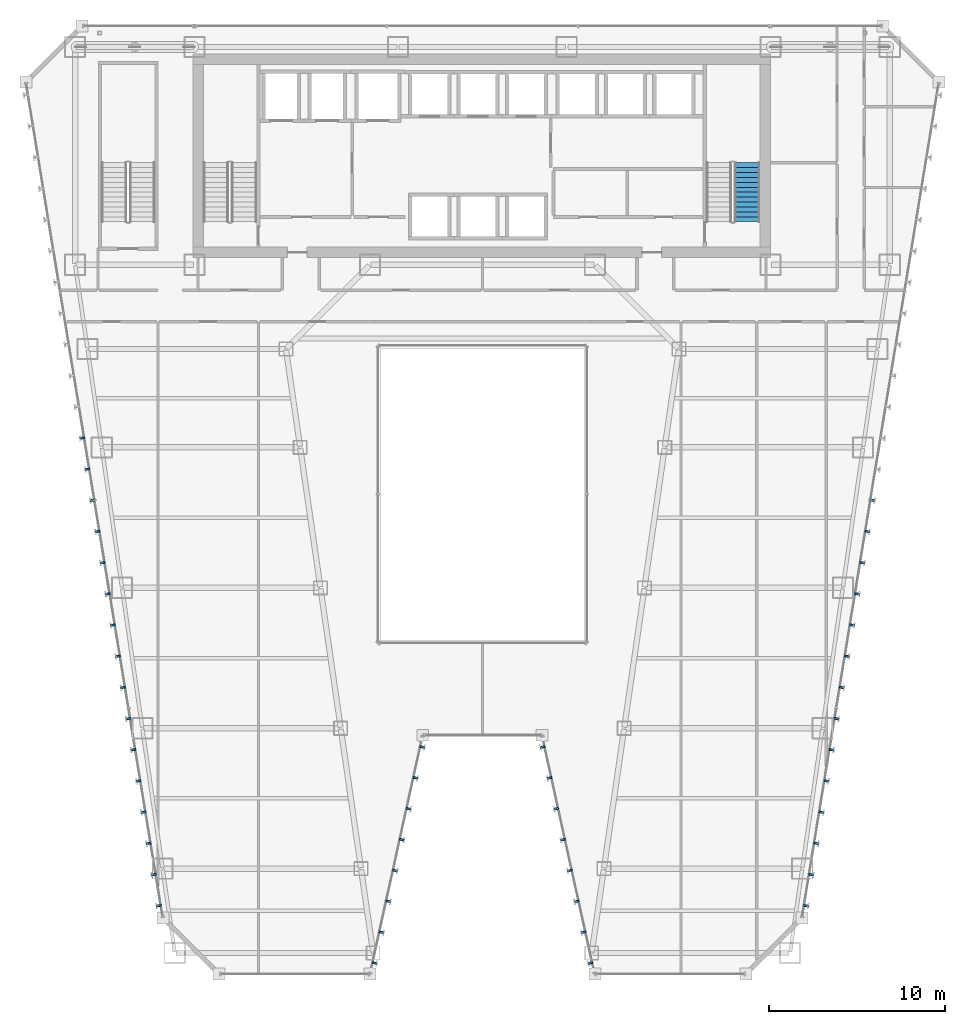
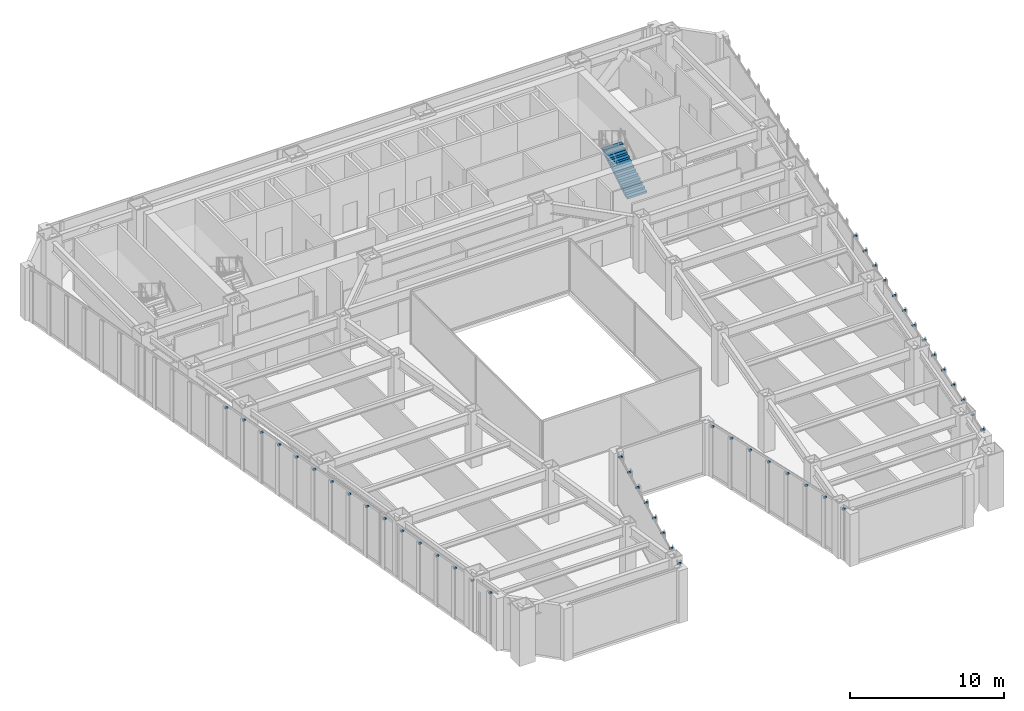
# One storey, part 39 of 47: 46 discrete accessories, 1 stair flight, 1 element without a shape of its own.
"""IFC4 building model written with IfcOpenShell, lengths in metres."""

from ifc_helpers import new_model, si_unit, direction, frame, origin, origin_2d, place, context, subcontext, project, spatial, polyline, rectangle, outline, extrude, material, layer, layer_set, type_object, element, aggregate, save


model = new_model("IFC4")

# Units and contexts
model_context = context("Model", 3, precision=1e-05, world=origin(), true_north=direction((0.0, 1.0)))
body_context = subcontext(model_context, "Body", "Model", "MODEL_VIEW")
ifc_project = project(units=[si_unit("LENGTHUNIT", "METRE"), si_unit("AREAUNIT", "SQUARE_METRE"), si_unit("VOLUMEUNIT", "CUBIC_METRE"), si_unit("PLANEANGLEUNIT", "RADIAN"), si_unit("MASSUNIT", "GRAM", prefix="KILO")], contexts=[model_context])

# Site, building, storey
site_placement = place(None, origin())
site = spatial("IfcSite", under=ifc_project, at=site_placement, CompositionType="ELEMENT")
building_placement = place(site_placement, origin())
building = spatial("IfcBuilding", under=site, at=building_placement, Name="Saevonmaru Cultural Tower", CompositionType="ELEMENT")
storey_placement = place(building_placement, frame((0.0, 0.0, 92.800048828125)))
storey = spatial("IfcBuildingStorey", under=building, at=storey_placement, Name="L19", CompositionType="ELEMENT", Elevation=92.800048828125)

# Stair, stair flight
ifc_material_1 = material(Name="Concrete C40/50", Category="concrete")
stair_type = type_object("IfcStairType", Name="STR-DOGLEG-RC", PredefinedType="HALF_TURN_STAIR", material=ifc_material_1)
stair_placement = place(storey_placement, origin())
stair = element("IfcStair", 1, at=stair_placement, inside=storey, type_object=stair_type, Name="L19 Protected exit stair ST-2", PredefinedType="HALF_TURN_STAIR")
ifc_material_2 = material(Name="Precast concrete C40/50", Category="concrete")
stair_flight_type = type_object("IfcStairFlightType", Name="STF-PRECAST-180", PredefinedType="STRAIGHT", material=ifc_material_2)
stair_flight_placement = place(storey_placement, frame((45.074951171875, 44.85009765625, 0.0), z_axis=(0.0, 0.0, 1.0), x_axis=(0.0, 1.0, 0.0)))
stair_flight = element("IfcStairFlight", 2, at=stair_flight_placement, type_object=stair_flight_type, Name="ST-2-L19 flight 1", NumberOfRisers=13, NumberOfTreads=12, PredefinedType="STRAIGHT", RiserHeight=0.169230769, TreadLength=0.28, context=body_context, shape_type="SweptSolid", body=[
    extrude(outline(polyline([(0.0, 0.0), (0.0, 0.169189453125), (0.280029296875, 0.169189453125), (0.280029296875, 0.33837890625), (0.56005859375, 0.33837890625), (0.56005859375, 0.5078125), (0.840087890625, 0.5078125), (0.840087890625, 0.677001953125), (1.1201171875, 0.677001953125), (1.1201171875, 0.84619140625), (1.39990234375, 0.84619140625), (1.39990234375, 1.015380859375), (1.679931640625, 1.015380859375), (1.679931640625, 1.1845703125), (1.9599609375, 1.1845703125), (1.9599609375, 1.353759765625), (2.239990234375, 1.353759765625), (2.239990234375, 1.523193359375), (2.52001953125, 1.523193359375), (2.52001953125, 1.6923828125), (2.800048828125, 1.6923828125), (2.800048828125, 1.861572265625), (3.080078125, 1.861572265625), (3.080078125, 2.03076171875), (3.360107421875, 2.03076171875), (3.360107421875, 2.199951171875), (3.360107421875, 1.855712890625), (0.289794921875, 0.0), (0.0, 0.0)])), frame((0.0, 0.72509765625, 0.0), z_axis=(0.0, -1.0, 0.0), x_axis=(1.0, 0.0, 0.0)), (0.0, 0.0, 1.0), 1.449951171875),
])
aggregate(stair, [stair_flight])

# Discrete accessories
ifc_material_3 = material(Name="Stainless Steel 316", Category="steel")
ifc_layer = layer(ifc_material_3, 0.1201171875, Name="Stainless Steel 316")
ifc_layer_set = layer_set([ifc_layer], Name="Stainless Steel 316")
discrete_accessory_type = type_object("IfcDiscreteAccessoryType", Name="ACC-FIN-BRKT", PredefinedType="BRACKET", material=ifc_layer_set)
for number, where, z_axis, x_axis, name in (
    (3, (23.850341796875, 2.624267578125, 3.929931640625), (0.0, 0.0, 1.0), (0.976522126798, -0.215417120661, 0.0), "L19 Bronze Fin Bracket E3-01"),
    (4, (24.238037109375, 4.3818359375, 3.929931640625), (0.0, 0.0, 1.0), (0.976522126798, -0.215417120661, 0.0), "L19 Bronze Fin Bracket E3-02"),
    (5, (24.625732421875, 6.1396484375, 3.929931640625), (0.0, 0.0, 1.0), (0.976522126798, -0.215417120661, 0.0), "L19 Bronze Fin Bracket E3-03"),
    (6, (25.013427734375, 7.8974609375, 3.929931640625), (0.0, 0.0, 1.0), (0.976522126798, -0.215417120661, 0.0), "L19 Bronze Fin Bracket E3-04"),
    (7, (25.4013671875, 9.6552734375, 3.929931640625), (0.0, 0.0, 1.0), (0.976522126798, -0.215417120661, 0.0), "L19 Bronze Fin Bracket E3-05"),
    (8, (25.7890625, 11.412841796875, 3.929931640625), (0.0, 0.0, 1.0), (0.976522126798, -0.215417120661, 0.0), "L19 Bronze Fin Bracket E3-06"),
    (9, (26.1767578125, 13.170654296875, 3.929931640625), (0.0, 0.0, 1.0), (0.976522126798, -0.215417120661, 0.0), "L19 Bronze Fin Bracket E3-07"),
    (10, (26.564453125, 14.928466796875, 3.929931640625), (0.0, 0.0, 1.0), (0.976522126798, -0.215417120661, 0.0), "L19 Bronze Fin Bracket E3-08"),
    (11, (33.435546875, 14.928466796875, 3.929931640625), (0.0, 0.0, 1.0), (-0.976522126798, -0.215417120661, 0.0), "L19 Bronze Fin Bracket E5-01"),
    (12, (33.8232421875, 13.170654296875, 3.929931640625), (0.0, 0.0, 1.0), (-0.976522126798, -0.215417120661, 0.0), "L19 Bronze Fin Bracket E5-02"),
    (13, (34.2109375, 11.412841796875, 3.929931640625), (0.0, 0.0, 1.0), (-0.976522126798, -0.215417120661, 0.0), "L19 Bronze Fin Bracket E5-03"),
    (14, (34.5986328125, 9.6552734375, 3.929931640625), (0.0, 0.0, 1.0), (-0.976522126798, -0.215417120661, 0.0), "L19 Bronze Fin Bracket E5-04"),
    (15, (34.986572265625, 7.8974609375, 3.929931640625), (0.0, 0.0, 1.0), (-0.976522126798, -0.215417120661, 0.0), "L19 Bronze Fin Bracket E5-05"),
    (16, (35.374267578125, 6.1396484375, 3.929931640625), (0.0, 0.0, 1.0), (-0.976522126798, -0.215417120661, 0.0), "L19 Bronze Fin Bracket E5-06"),
    (17, (35.761962890625, 4.3818359375, 3.929931640625), (0.0, 0.0, 1.0), (-0.976522126798, -0.215417120661, 0.0), "L19 Bronze Fin Bracket E5-07"),
    (18, (36.149658203125, 2.624267578125, 3.929931640625), (0.0, 0.0, 1.0), (-0.976522126798, -0.215417120661, 0.0), "L19 Bronze Fin Bracket E5-08"),
    (19, (48.424560546875, 5.89013671875, 3.929931640625), (0.0, 0.0, 1.0), (0.986827496189, -0.161776057456, 0.0), "L19 Bronze Fin Bracket E8-01"),
    (20, (48.715576171875, 7.66650390625, 3.929931640625), (0.0, 0.0, 1.0), (0.986827496189, -0.161776057456, 0.0), "L19 Bronze Fin Bracket E8-02"),
    (21, (49.006591796875, 9.44287109375, 3.929931640625), (0.0, 0.0, 1.0), (0.986827496189, -0.161776057456, 0.0), "L19 Bronze Fin Bracket E8-03"),
    (22, (49.2978515625, 11.218994140625, 3.929931640625), (0.0, 0.0, 1.0), (0.986827496189, -0.161776057456, 0.0), "L19 Bronze Fin Bracket E8-04"),
    (23, (49.5888671875, 12.995361328125, 3.929931640625), (0.0, 0.0, 1.0), (0.986827496189, -0.161776057456, 0.0), "L19 Bronze Fin Bracket E8-05"),
    (24, (49.8798828125, 14.771728515625, 3.929931640625), (0.0, 0.0, 1.0), (0.986827496189, -0.161776057456, 0.0), "L19 Bronze Fin Bracket E8-06"),
    (25, (50.1708984375, 16.548095703125, 3.929931640625), (0.0, 0.0, 1.0), (0.986827496189, -0.161776057456, 0.0), "L19 Bronze Fin Bracket E8-07"),
    (26, (50.462158203125, 18.324462890625, 3.929931640625), (0.0, 0.0, 1.0), (0.986827496189, -0.161776057456, 0.0), "L19 Bronze Fin Bracket E8-08"),
    (27, (50.753173828125, 20.1005859375, 3.929931640625), (0.0, 0.0, 1.0), (0.986827496189, -0.161776057456, 0.0), "L19 Bronze Fin Bracket E8-09"),
    (28, (51.044189453125, 21.876953125, 3.929931640625), (0.0, 0.0, 1.0), (0.986827496189, -0.161776057456, 0.0), "L19 Bronze Fin Bracket E8-10"),
    (29, (51.335205078125, 23.6533203125, 3.929931640625), (0.0, 0.0, 1.0), (0.986827496189, -0.161776057456, 0.0), "L19 Bronze Fin Bracket E8-11"),
    (30, (51.62646484375, 25.4296875, 3.929931640625), (0.0, 0.0, 1.0), (0.986827496189, -0.161776057456, 0.0), "L19 Bronze Fin Bracket E8-12"),
    (31, (51.91748046875, 27.205810546875, 3.929931640625), (0.0, 0.0, 1.0), (0.986827496189, -0.161776057456, 0.0), "L19 Bronze Fin Bracket E8-13"),
    (32, (52.20849609375, 28.982177734375, 3.929931640625), (0.0, 0.0, 1.0), (0.986827496189, -0.161776057456, 0.0), "L19 Bronze Fin Bracket E8-14"),
    (33, (7.209228515625, 32.534912109375, 3.929931640625), (0.0, 0.0, 1.0), (-0.986827496189, -0.161776057456, 0.0), "L19 Bronze Fin Bracket E12-12"),
    (34, (7.50048828125, 30.758544921875, 3.929931640625), (0.0, 0.0, 1.0), (-0.986827496189, -0.161776057456, 0.0), "L19 Bronze Fin Bracket E12-13"),
    (35, (7.79150390625, 28.982177734375, 3.929931640625), (0.0, 0.0, 1.0), (-0.986827496189, -0.161776057456, 0.0), "L19 Bronze Fin Bracket E12-14"),
    (36, (8.08251953125, 27.205810546875, 3.929931640625), (0.0, 0.0, 1.0), (-0.986827496189, -0.161776057456, 0.0), "L19 Bronze Fin Bracket E12-15"),
    (37, (8.37353515625, 25.4296875, 3.929931640625), (0.0, 0.0, 1.0), (-0.986827496189, -0.161776057456, 0.0), "L19 Bronze Fin Bracket E12-16"),
    (38, (8.664794921875, 23.6533203125, 3.929931640625), (0.0, 0.0, 1.0), (-0.986827496189, -0.161776057456, 0.0), "L19 Bronze Fin Bracket E12-17"),
    (39, (8.955810546875, 21.876953125, 3.929931640625), (0.0, 0.0, 1.0), (-0.986827496189, -0.161776057456, 0.0), "L19 Bronze Fin Bracket E12-18"),
    (40, (9.246826171875, 20.1005859375, 3.929931640625), (0.0, 0.0, 1.0), (-0.986827496189, -0.161776057456, 0.0), "L19 Bronze Fin Bracket E12-19"),
    (41, (9.537841796875, 18.324462890625, 3.929931640625), (0.0, 0.0, 1.0), (-0.986827496189, -0.161776057456, 0.0), "L19 Bronze Fin Bracket E12-20"),
    (42, (9.8291015625, 16.548095703125, 3.929931640625), (0.0, 0.0, 1.0), (-0.986827496189, -0.161776057456, 0.0), "L19 Bronze Fin Bracket E12-21"),
    (43, (10.1201171875, 14.771728515625, 3.929931640625), (0.0, 0.0, 1.0), (-0.986827496189, -0.161776057456, 0.0), "L19 Bronze Fin Bracket E12-22"),
    (44, (10.4111328125, 12.995361328125, 3.929931640625), (0.0, 0.0, 1.0), (-0.986827496189, -0.161776057456, 0.0), "L19 Bronze Fin Bracket E12-23"),
    (45, (10.7021484375, 11.218994140625, 3.929931640625), (0.0, 0.0, 1.0), (-0.986827496189, -0.161776057456, 0.0), "L19 Bronze Fin Bracket E12-24"),
    (46, (10.993408203125, 9.44287109375, 3.929931640625), (0.0, 0.0, 1.0), (-0.986827496189, -0.161776057456, 0.0), "L19 Bronze Fin Bracket E12-25"),
    (47, (11.284423828125, 7.66650390625, 3.929931640625), (0.0, 0.0, 1.0), (-0.986827496189, -0.161776057456, 0.0), "L19 Bronze Fin Bracket E12-26"),
    (48, (11.575439453125, 5.89013671875, 3.929931640625), (0.0, 0.0, 1.0), (-0.986827496189, -0.161776057456, 0.0), "L19 Bronze Fin Bracket E12-27"),
):
    element("IfcDiscreteAccessory", number, at=place(storey_placement, frame(where, z_axis=z_axis, x_axis=x_axis)), inside=storey, type_object=discrete_accessory_type, Name=name, PredefinedType="BRACKET", context=body_context, shape_type="SweptSolid", body=[
        extrude(rectangle(XDim=0.260009765625, YDim=0.1201171875, at=origin_2d()), origin(), (0.0, 0.0, 1.0), 0.1201171875),
    ])

save(model, "model.ifc")
